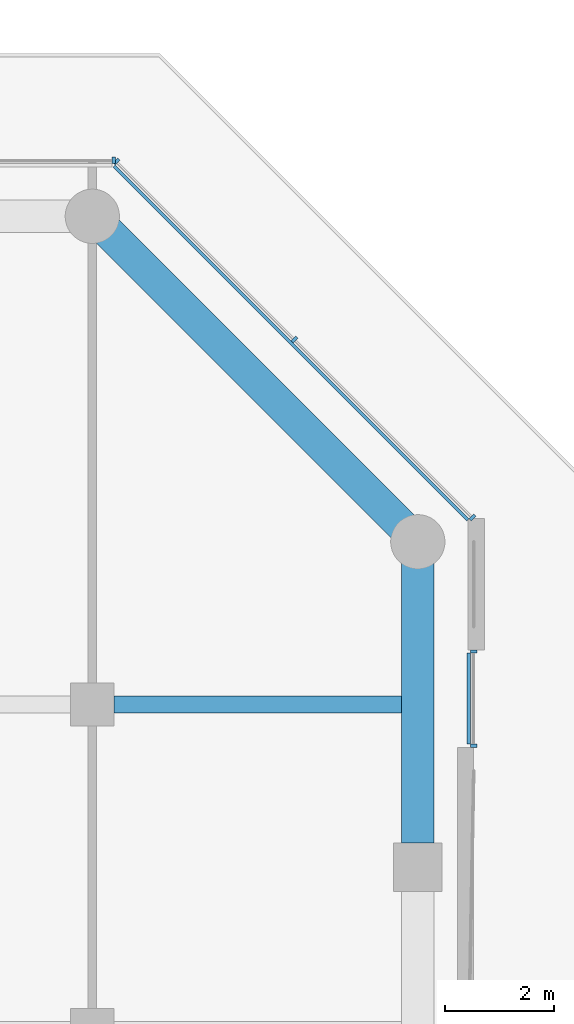
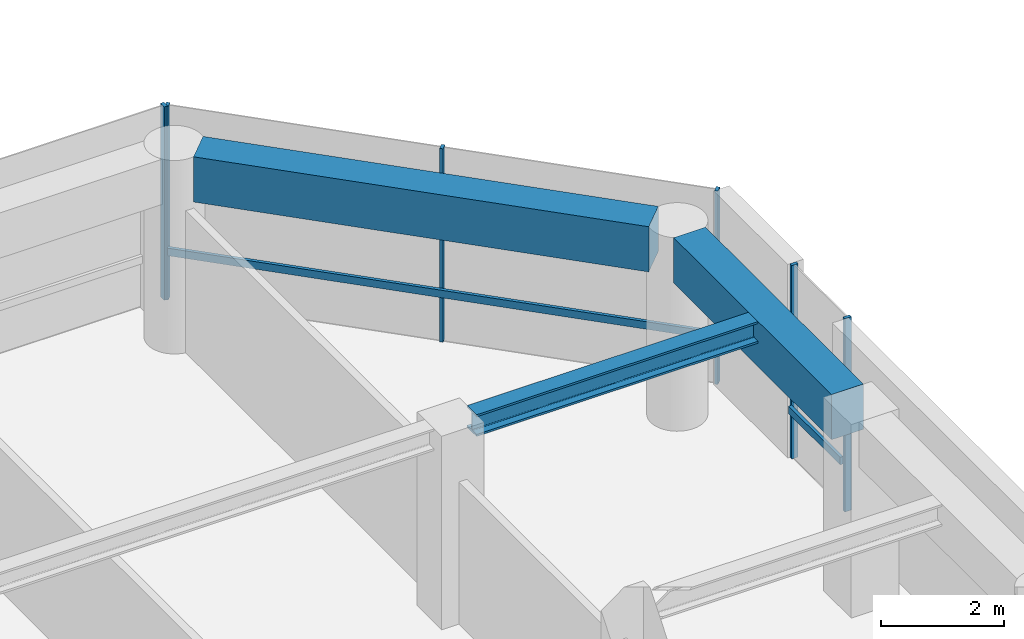
# One storey, part 9 of 25: 8 members, 3 beams, 3 elements without a shape of their own.
"""IFC4 building model written with IfcOpenShell, lengths in metres."""

import ifcopenshell
import ifcopenshell.guid

model = None  # the IFC model being written
_history = None  # IfcOwnerHistory: only IFC2X3 demands one
_inside = {}  # id of a spatial element -> (the spatial element, [elements in it])
_under = {}  # id of a project, library or spatial element -> (it, [spatial elements below it])
_declared = {}  # id of a project -> (the project, [libraries it declares])
_typed = {}  # id of a type object -> (the type object, [elements of that type])
_made_of = {}  # id of a material, layer set ... -> (it, [elements and type objects made of it])


def new_model(schema):
    """Start an empty IFC model of exactly this schema.

    Asked for "IFC4X3", IfcOpenShell would pick the latest addendum, in which some entities
    have other attributes; the version numbers below select the first issue.
    IFC2X3 requires an IfcOwnerHistory on every rooted entity: one is made here for all.
    """
    global model, _history
    if schema == "IFC4X3":
        model = ifcopenshell.file(schema_version=(4, 3, 0, 0))
    else:
        model = ifcopenshell.file(schema=schema)
    _inside.clear()
    _under.clear()
    _declared.clear()
    _typed.clear()
    _made_of.clear()
    _history = None
    if model.schema == "IFC2X3":
        org = make("IfcOrganization", Name="unknown")
        user = make(
            "IfcPersonAndOrganization",
            ThePerson=make("IfcPerson", FamilyName="unknown"),
            TheOrganization=org,
        )
        app = make(
            "IfcApplication",
            ApplicationDeveloper=org,
            Version="unknown",
            ApplicationFullName="unknown",
            ApplicationIdentifier="unknown",
        )
        _history = make(
            "IfcOwnerHistory",
            OwningUser=user,
            OwningApplication=app,
            ChangeAction="ADDED",
            CreationDate=0,
        )
    return model


def make(cls, **values):
    """One entity of the class cls with the attributes given. An attribute that is None is left unset."""
    return model.create_entity(
        cls, **{name: value for name, value in values.items() if value is not None}
    )


def rooted(cls, **values):
    """An entity with a GlobalId (a new one), such as an element, a storey or a relation."""
    return make(cls, GlobalId=ifcopenshell.guid.new(), OwnerHistory=_history, **values)


def si_unit(unit_type, name, prefix=None):
    """IfcSIUnit, for example si_unit("LENGTHUNIT", "METRE", prefix="MILLI")."""
    return make("IfcSIUnit", UnitType=unit_type, Prefix=prefix, Name=name)


def assignment(units):
    """IfcUnitAssignment: the units of a project."""
    return None if units is None else make("IfcUnitAssignment", Units=units)


def point(xyz):
    """IfcCartesianPoint."""
    return None if xyz is None else make("IfcCartesianPoint", Coordinates=xyz)


def direction(xyz):
    """IfcDirection."""
    return None if xyz is None else make("IfcDirection", DirectionRatios=xyz)


def frame(location, z_axis=None, x_axis=None):
    """IfcAxis2Placement3D, a coordinate frame: its origin and axes. An axis left out is left unset."""
    return make(
        "IfcAxis2Placement3D",
        Location=point(location),
        Axis=direction(z_axis),
        RefDirection=direction(x_axis),
    )


def frame_2d(location, x_axis=None):
    """IfcAxis2Placement2D, a coordinate frame in the plane: its origin and x axis."""
    return make(
        "IfcAxis2Placement2D", Location=point(location), RefDirection=direction(x_axis)
    )


def origin():
    """The frame at (0, 0, 0) with its axes left unset."""
    return frame((0.0, 0.0, 0.0))


def origin_2d():
    """The frame at (0, 0) in the plane with its x axis left unset."""
    return frame_2d((0.0, 0.0))


def place(relative_to, where):
    """IfcLocalPlacement: puts the frame where relative to a parent placement (None: the world)."""
    return make(
        "IfcLocalPlacement", PlacementRelTo=relative_to, RelativePlacement=where
    )


def context(
    kind, dimensions, precision=None, world=None, true_north=None, identifier=None
):
    """IfcGeometricRepresentationContext, for example the 3D "Model" context."""
    return make(
        "IfcGeometricRepresentationContext",
        ContextIdentifier=identifier,
        ContextType=kind,
        CoordinateSpaceDimension=dimensions,
        Precision=precision,
        WorldCoordinateSystem=world,
        TrueNorth=true_north,
    )


def subcontext(parent, identifier, kind, view, scale=None):
    """IfcGeometricRepresentationSubContext, for example "Body" below "Model"."""
    return make(
        "IfcGeometricRepresentationSubContext",
        ContextIdentifier=identifier,
        ContextType=kind,
        ParentContext=parent,
        TargetScale=scale,
        TargetView=view,
    )


def project(units=None, contexts=None):
    """IfcProject with its units and contexts."""
    return rooted(
        "IfcProject",
        Name="project",
        RepresentationContexts=contexts,
        UnitsInContext=assignment(units),
    )


def spatial(cls, under=None, at=None, **own):
    """A site, building, storey or space (cls), placed at a placement, below another one or the project."""
    s = rooted(cls, ObjectPlacement=at, **own)
    if under is not None:
        _under.setdefault(under.id(), (under, []))[1].append(s)
    return s


def profile(cls, at=None, kind="AREA", **sizes):
    """A parametric profile (cls). Its sizes go by their IFC names, for example OverallWidth=200.0."""
    return make(cls, ProfileType=kind, Position=at, **sizes)


def rectangle(**sizes):
    """IfcRectangleProfileDef."""
    return profile("IfcRectangleProfileDef", **sizes)


def i_section(**sizes):
    """IfcIShapeProfileDef."""
    return profile("IfcIShapeProfileDef", **sizes)


def extrude(swept, where, along, depth):
    """IfcExtrudedAreaSolid: the profile swept, set in the frame where, extruded along a direction by depth."""
    return make(
        "IfcExtrudedAreaSolid",
        SweptArea=swept,
        Position=where,
        ExtrudedDirection=direction(along),
        Depth=depth,
    )


def shape(context_of_items, identifier, shape_type, items):
    """IfcShapeRepresentation: the items that make up one representation, for example the "Body"."""
    return make(
        "IfcShapeRepresentation",
        ContextOfItems=context_of_items,
        RepresentationIdentifier=identifier,
        RepresentationType=shape_type,
        Items=items,
    )


def material(Name=None, Category=None):
    """IfcMaterial."""
    return make("IfcMaterial", Name=Name, Category=Category)


def layer(
    of_material, thickness, ventilated=None, Name=None, Category=None, Priority=None
):
    """IfcMaterialLayer: one layer of a wall or slab, of a material (None: an air gap)."""
    return make(
        "IfcMaterialLayer",
        Material=of_material,
        LayerThickness=thickness,
        IsVentilated=ventilated,
        Name=Name,
        Category=Category,
        Priority=Priority,
    )


def layer_set(layers, Name=None):
    """IfcMaterialLayerSet."""
    return make("IfcMaterialLayerSet", MaterialLayers=layers, LayerSetName=Name)


def material_profile(
    of_material, cross_section, Name=None, Category=None, Priority=None
):
    """IfcMaterialProfile: a cross section and its material."""
    return make(
        "IfcMaterialProfile",
        Name=Name,
        Material=of_material,
        Profile=cross_section,
        Priority=Priority,
        Category=Category,
    )


def profile_set(profiles, Name=None, composite=None):
    """IfcMaterialProfileSet."""
    return make(
        "IfcMaterialProfileSet",
        Name=Name,
        MaterialProfiles=profiles,
        CompositeProfile=composite,
    )


def made_of(thing, what):
    """Note that an element or type object is made of a material, layer set ...; save() writes the relation."""
    if what is not None:
        _made_of.setdefault(what.id(), (what, []))[1].append(thing)
    return thing


def type_object(cls, material=None, **own):
    """A type object (cls), such as IfcWallType, which elements share."""
    return made_of(rooted(cls, **own), material)


def element(
    cls,
    number,
    at=None,
    inside=None,
    cuts=None,
    type_object=None,
    material=None,
    context=None,
    identifier="Body",
    shape_type=None,
    held_by="IfcProductDefinitionShape",
    body=None,
    shapes=None,
    **own,
):
    """One element of the class cls, such as IfcWall. Its Tag is "e" and its number.

    at: its placement. inside: the storey or other place that contains it. cuts: it is an
    opening in that element (IfcRelVoidsElement). A single representation is given by context,
    identifier, shape_type and body (its items); several are given by shapes. held_by: the class
    of the entity that holds the representations. save() writes the other relations.
    """
    e = rooted(cls, Tag="e%d" % number, ObjectPlacement=at, **own)
    if body is not None:
        shapes = [shape(context, identifier, shape_type, body)]
    if shapes is not None:
        e.Representation = make(held_by, Representations=shapes)
    if inside is not None:
        _inside.setdefault(inside.id(), (inside, []))[1].append(e)
    if cuts is not None:
        rooted(
            "IfcRelVoidsElement", RelatingBuildingElement=cuts, RelatedOpeningElement=e
        )
    if type_object is not None:
        _typed.setdefault(type_object.id(), (type_object, []))[1].append(e)
    return made_of(e, material)


def aggregate(whole, parts):
    """IfcRelAggregates: a whole, such as a stair, and the parts it consists of."""
    return rooted("IfcRelAggregates", RelatingObject=whole, RelatedObjects=parts)


def save(model, path):
    """Write the relations noted so far, then the file.

    IfcRelAggregates (storeys below a building ...), IfcRelContainedInSpatialStructure (elements
    in a storey), IfcRelDefinesByType, IfcRelAssociatesMaterial and IfcRelDeclares: one each for
    every whole, place, type object, material and project.
    """
    for whole, parts in _under.values():
        aggregate(whole, parts)
    for where, things in _inside.values():
        rooted(
            "IfcRelContainedInSpatialStructure",
            RelatedElements=things,
            RelatingStructure=where,
        )
    for kind, things in _typed.values():
        rooted("IfcRelDefinesByType", RelatedObjects=things, RelatingType=kind)
    for what, things in _made_of.values():
        rooted("IfcRelAssociatesMaterial", RelatedObjects=things, RelatingMaterial=what)
    for by, libraries in _declared.values():
        rooted("IfcRelDeclares", RelatingContext=by, RelatedDefinitions=libraries)
    model.write(path)


model = new_model("IFC4")

# Units and contexts
model_context = context("Model", 3, precision=1e-05, world=origin(), true_north=direction((0.0, 1.0)))
body_context = subcontext(model_context, "Body", "Model", "MODEL_VIEW")
ifc_project = project(units=[si_unit("LENGTHUNIT", "METRE"), si_unit("AREAUNIT", "SQUARE_METRE"), si_unit("VOLUMEUNIT", "CUBIC_METRE"), si_unit("PLANEANGLEUNIT", "RADIAN"), si_unit("MASSUNIT", "GRAM", prefix="KILO")], contexts=[model_context])

# Site, building, storey
site_placement = place(None, origin())
site = spatial("IfcSite", under=ifc_project, at=site_placement, CompositionType="ELEMENT")
building_placement = place(site_placement, origin())
building = spatial("IfcBuilding", under=site, at=building_placement, Name="Welwitschia Terrace Campus", CompositionType="ELEMENT")
storey_placement = place(building_placement, frame((0.0, 0.0, 121.39990234375)))
storey = spatial("IfcBuildingStorey", under=building, at=storey_placement, Name="L27", CompositionType="ELEMENT", Elevation=121.39990234375)

# Beam
ifc_material_1 = material(Name="Steel S355", Category="steel")
ifc_material_profile_1 = material_profile(ifc_material_1, i_section(OverallWidth=0.306884765625, OverallDepth=0.431884765625, WebThickness=0.02099609375, FlangeThickness=0.0400390625, FilletRadius=0.027099609375, at=origin_2d()))
ifc_profile_set_1 = profile_set([ifc_material_profile_1], Name="Steel S355")
beam_type_1 = type_object("IfcBeamType", Name="Interior girder HE 400 M", PredefinedType="BEAM", material=ifc_profile_set_1)
beam_1_placement = place(storey_placement, frame((48.400390625, 19.0, 3.634033203125), z_axis=(1.0, 0.0, 0.0), x_axis=(0.0, 1.0, 0.0)))
element("IfcBeam", 1, at=beam_1_placement, inside=storey, type_object=beam_type_1, Name="Girder GB3", PredefinedType="BEAM", context=body_context, shape_type="SweptSolid", body=[
    extrude(i_section(OverallWidth=0.306884765625, OverallDepth=0.431884765625, WebThickness=0.02099609375, FlangeThickness=0.0400390625, FilletRadius=0.027099609375, at=origin_2d()), origin(), (0.0, 0.0, 1.0), 5.609619140625),
])

# Curtain wall, members
ifc_material_2 = material(Name="Bronze anodised aluminium", Category="aluminium")
ifc_layer = layer(ifc_material_2, 0.1201171875)
ifc_layer_set = layer_set([ifc_layer], Name="Bronze anodised aluminium")
curtain_wall_type = type_object("IfcCurtainWallType", Name="Curtain wall CW2 tower 6000", PredefinedType="NOTDEFINED", material=ifc_layer_set)
curtain_wall_1_placement = place(storey_placement, origin())
curtain_wall_1 = element("IfcCurtainWall", 2, at=curtain_wall_1_placement, inside=storey, type_object=curtain_wall_type, Name="CW L27.6.S0", PredefinedType="NOTDEFINED")
ifc_material_3 = material(Name="Bronze anodised aluminium", Category="aluminium")
ifc_material_profile_2 = material_profile(ifc_material_3, rectangle(XDim=0.1201171875, YDim=0.06005859375, at=origin_2d()))
ifc_profile_set_2 = profile_set([ifc_material_profile_2], Name="Bronze anodised aluminium")
member_type_1 = type_object("IfcMemberType", Name="Mullion 60x120", PredefinedType="MULLION", material=ifc_profile_set_2)
member_1_placement = place(storey_placement, frame((55.030029296875, 18.239013671875, 0.0), z_axis=(0.0, 0.0, 1.0), x_axis=(-1.0, 0.0, 0.0)))
member_1 = element("IfcMember", 3, at=member_1_placement, type_object=member_type_1, Name="Mullion L27.6.S0.0", PredefinedType="MULLION", context=body_context, shape_type="SweptSolid", body=[
    extrude(rectangle(XDim=0.1201171875, YDim=0.06005859375, at=origin_2d()), origin(), (0.0, 0.0, 1.0), 3.85009765625),
])
member_2_placement = place(storey_placement, frame((55.030029296875, 19.97900390625, 0.0), z_axis=(0.0, 0.0, 1.0), x_axis=(-1.0, 0.0, 0.0)))
member_2 = element("IfcMember", 4, at=member_2_placement, type_object=member_type_1, Name="Mullion L27.6.S0.1", PredefinedType="MULLION", context=body_context, shape_type="SweptSolid", body=[
    extrude(rectangle(XDim=0.1201171875, YDim=0.06005859375, at=origin_2d()), origin(), (0.0, 0.0, 1.0), 3.85009765625),
])

curtain_wall_2_placement = place(storey_placement, origin())
curtain_wall_2 = element("IfcCurtainWall", 5, at=curtain_wall_2_placement, inside=storey, type_object=curtain_wall_type, Name="CW L27.7.0", PredefinedType="NOTDEFINED")
member_3_placement = place(storey_placement, frame((55.0087890625, 22.44775390625, 0.0), z_axis=(0.0, 0.0, 1.0), x_axis=(-0.707106781187, -0.707106781187, 0.0)))
member_3 = element("IfcMember", 6, at=member_3_placement, type_object=member_type_1, Name="Mullion L27.7.0.0", PredefinedType="MULLION", context=body_context, shape_type="SweptSolid", body=[
    extrude(rectangle(XDim=0.1201171875, YDim=0.06005859375, at=origin_2d()), origin(), (0.0, 0.0, 1.0), 3.85009765625),
])
member_4_placement = place(storey_placement, frame((51.728271484375, 25.728271484375, 0.0), z_axis=(0.0, 0.0, 1.0), x_axis=(-0.707106781187, -0.707106781187, 0.0)))
member_4 = element("IfcMember", 7, at=member_4_placement, type_object=member_type_1, Name="Mullion L27.7.0.1", PredefinedType="MULLION", context=body_context, shape_type="SweptSolid", body=[
    extrude(rectangle(XDim=0.1201171875, YDim=0.06005859375, at=origin_2d()), origin(), (0.0, 0.0, 1.0), 3.85009765625),
])
member_5_placement = place(storey_placement, frame((48.44775390625, 29.0087890625, 0.0), z_axis=(0.0, 0.0, 1.0), x_axis=(-0.707106781187, -0.707106781187, 0.0)))
member_5 = element("IfcMember", 8, at=member_5_placement, type_object=member_type_1, Name="Mullion L27.7.0.2", PredefinedType="MULLION", context=body_context, shape_type="SweptSolid", body=[
    extrude(rectangle(XDim=0.1201171875, YDim=0.06005859375, at=origin_2d()), origin(), (0.0, 0.0, 1.0), 3.85009765625),
])

# Curtain wall, member
curtain_wall_3_placement = place(storey_placement, origin())
curtain_wall_3 = element("IfcCurtainWall", 9, at=curtain_wall_3_placement, inside=storey, type_object=curtain_wall_type, Name="CW L27.8.0", PredefinedType="NOTDEFINED")
member_6_placement = place(storey_placement, frame((48.396728515625, 29.030029296875, 0.0), z_axis=(0.0, 0.0, 1.0), x_axis=(0.0, -1.0, 0.0)))
member_6 = element("IfcMember", 10, at=member_6_placement, type_object=member_type_1, Name="Mullion L27.8.0.0", PredefinedType="MULLION", context=body_context, shape_type="SweptSolid", body=[
    extrude(rectangle(XDim=0.1201171875, YDim=0.06005859375, at=origin_2d()), origin(), (0.0, 0.0, 1.0), 3.85009765625),
])
aggregate(curtain_wall_3, [member_6])

# Beams
ifc_material_4 = material(Name="Concrete C60/75", Category="concrete")
ifc_material_profile_3 = material_profile(ifc_material_4, rectangle(XDim=0.60009765625, YDim=0.89990234375, at=origin_2d()))
ifc_profile_set_3 = profile_set([ifc_material_profile_3], Name="Concrete C60/75")
beam_type_2 = type_object("IfcBeamType", Name="Ring spandrel 600x900", PredefinedType="SPANDREL", material=ifc_profile_set_3)
beam_2_placement = place(storey_placement, frame((54.0, 16.450439453125, 3.400146484375), z_axis=(0.0, 1.0, 0.0), x_axis=(-1.0, 0.0, 0.0)))
element("IfcBeam", 11, at=beam_2_placement, inside=storey, type_object=beam_type_2, Name="Spandrel SP2", PredefinedType="SPANDREL", context=body_context, shape_type="SweptSolid", body=[
    extrude(rectangle(XDim=0.60009765625, YDim=0.89990234375, at=origin_2d()), origin(), (0.0, 0.0, 1.0), 5.149169921875),
])
beam_3_placement = place(storey_placement, frame((53.716796875, 22.283203125, 3.400146484375), z_axis=(-0.707106781187, 0.707106781187, 0.0), x_axis=(-0.707106781187, -0.707106781187, 0.0)))
element("IfcBeam", 12, at=beam_3_placement, inside=storey, type_object=beam_type_2, Name="Spandrel SP2", PredefinedType="SPANDREL", context=body_context, shape_type="SweptSolid", body=[
    extrude(rectangle(XDim=0.60009765625, YDim=0.89990234375, at=origin_2d()), origin(), (0.0, 0.0, 1.0), 7.684326171875),
])

# Member
ifc_material_5 = material(Name="Bronze anodised aluminium", Category="aluminium")
ifc_material_profile_4 = material_profile(ifc_material_5, rectangle(XDim=0.06005859375, YDim=0.14990234375, at=origin_2d()))
ifc_profile_set_4 = profile_set([ifc_material_profile_4], Name="Bronze anodised aluminium")
member_type_2 = type_object("IfcMemberType", Name="Transom 60x150", PredefinedType="USERDEFINED", material=ifc_profile_set_4)
member_7_placement = place(storey_placement, frame((54.93994140625, 18.26904296875, 1.0), z_axis=(0.0, 1.0, 0.0), x_axis=(-1.0, 0.0, 0.0)))
member_7 = element("IfcMember", 13, at=member_7_placement, type_object=member_type_2, Name="Transom L27.6.S0", ObjectType="TRANSOM", PredefinedType="USERDEFINED", context=body_context, shape_type="SweptSolid", body=[
    extrude(rectangle(XDim=0.06005859375, YDim=0.14990234375, at=origin_2d()), origin(), (0.0, 0.0, 1.0), 1.68017578125),
])

aggregate(curtain_wall_1, [member_1, member_2, member_7])

member_8_placement = place(storey_placement, frame((54.923828125, 22.405517578125, 1.0), z_axis=(-0.707106781187, 0.707106781187, 0.0), x_axis=(-0.707106781187, -0.707106781187, 0.0)))
member_8 = element("IfcMember", 14, at=member_8_placement, type_object=member_type_2, Name="Transom L27.7.0", ObjectType="TRANSOM", PredefinedType="USERDEFINED", context=body_context, shape_type="SweptSolid", body=[
    extrude(rectangle(XDim=0.06005859375, YDim=0.14990234375, at=origin_2d()), origin(), (0.0, 0.0, 1.0), 9.21826171875),
])

aggregate(curtain_wall_2, [member_3, member_4, member_5, member_8])

save(model, "model.ifc")
